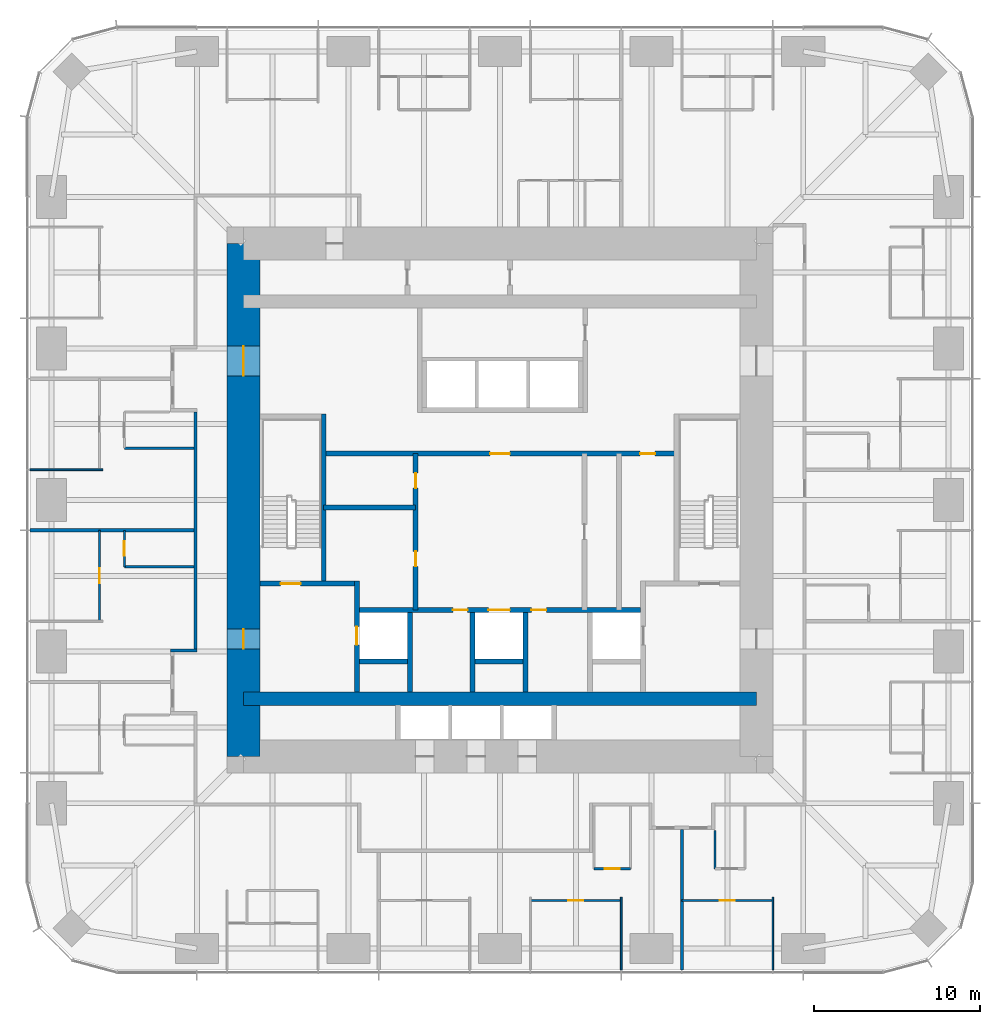
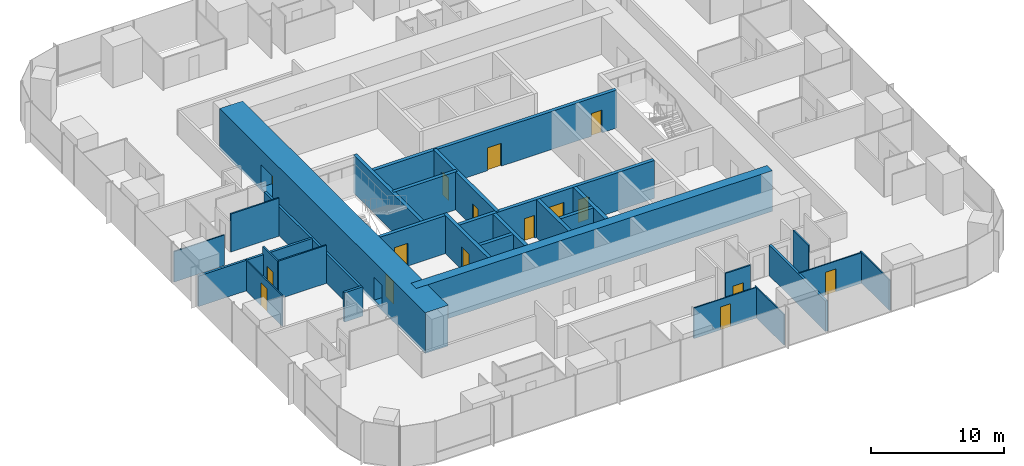
# One storey, part 9 of 13: 29 walls, 16 doors, 16 openings.
"""IFC4 building model written with IfcOpenShell, lengths in metres."""

from ifc_helpers import new_model, si_unit, direction, frame, frame_2d, origin, place, context, subcontext, project, spatial, rectangle, extrude, material, layer, layer_set, type_object, element, fill, save


model = new_model("IFC4")

# Units and contexts
model_context = context("Model", 3, precision=1e-05, world=origin(), true_north=direction((0.0, 1.0)))
body_context = subcontext(model_context, "Body", "Model", "MODEL_VIEW")
ifc_project = project(units=[si_unit("LENGTHUNIT", "METRE"), si_unit("AREAUNIT", "SQUARE_METRE"), si_unit("VOLUMEUNIT", "CUBIC_METRE"), si_unit("PLANEANGLEUNIT", "RADIAN"), si_unit("MASSUNIT", "GRAM", prefix="KILO")], contexts=[model_context])

# Site, building, storey
site_placement = place(None, origin())
site = spatial("IfcSite", under=ifc_project, at=site_placement, CompositionType="ELEMENT")
building_placement = place(site_placement, origin())
building = spatial("IfcBuilding", under=site, at=building_placement, Name="Khuree Lantern Residences", CompositionType="ELEMENT")
storey_placement = place(building_placement, frame((0.0, 0.0, 163.5)))
storey = spatial("IfcBuildingStorey", under=building, at=storey_placement, Name="L41", CompositionType="ELEMENT", Elevation=163.5)

# Wall
ifc_material_1 = material(Name="Moisture-resistant gypsum board on steel studs", Category="steel")
ifc_layer_1 = layer(ifc_material_1, 0.125)
ifc_layer_set_1 = layer_set([ifc_layer_1], Name="BATHROOM WALL BTW125")
wall_type_1 = type_object("IfcWallType", Name="BATHROOM WALL BTW125", PredefinedType="PARTITIONING", material=ifc_layer_set_1)
wall_1_placement = place(storey_placement, frame((-18.5, 3.1279296875, 0.0), z_axis=(0.0, 0.0, 1.0), x_axis=(-1.0, 0.0, 0.0)))
element("IfcWall", 1, at=wall_1_placement, inside=storey, type_object=wall_type_1, Name="L41 BATHROOM WALL 04", PredefinedType="PARTITIONING", context=body_context, shape_type="SweptSolid", body=[
    extrude(rectangle(XDim=4.199951171875, YDim=0.125, at=frame_2d((2.10009765625, 0.0))), origin(), (0.0, 0.0, 1.0), 3.5),
])

# Wall, opening, door
wall_2_placement = place(storey_placement, frame((-22.699951171875, -1.83203125, 0.0), z_axis=(0.0, 0.0, 1.0), x_axis=(0.0, -1.0, 0.0)))
wall_2 = element("IfcWall", 2, at=wall_2_placement, inside=storey, type_object=wall_type_1, Name="L41 BATHROOM WALL 05", PredefinedType="PARTITIONING", context=body_context, shape_type="SweptSolid", body=[
    extrude(rectangle(XDim=2.199951171875, YDim=0.125, at=frame_2d((1.10009765625, 0.0))), origin(), (0.0, 0.0, 1.0), 3.5),
])
opening_1_placement = place(wall_2_placement, frame((0.64990234375, 0.0, 0.0)))
opening_1 = element("IfcOpeningElement", 3, at=opening_1_placement, cuts=wall_2, Name="Opening 41-047", PredefinedType="OPENING", context=body_context, shape_type="SweptSolid", body=[
    extrude(rectangle(XDim=0.89990234375, YDim=2.10009765625, at=frame_2d((0.449951171875, 1.050048828125))), frame((0.0, 0.072509765625, 0.0), z_axis=(0.0, -1.0, 0.0), x_axis=(1.0, 0.0, 0.0)), (0.0, 0.0, 1.0), 0.14501953125),
])
ifc_material_2 = material(Name="Timber door leaf in hardwood frame", Category="wood")
door_type_1 = type_object("IfcDoorType", Name="BATHROOM DOOR 900X2100", OperationType="SINGLE_SWING_LEFT", PredefinedType="DOOR", material=ifc_material_2)
door_1_placement = place(opening_1_placement, origin())
door_1 = element("IfcDoor", 4, at=door_1_placement, inside=storey, type_object=door_type_1, Name="Bathroom door 41-047", OperationType="SINGLE_SWING_LEFT", OverallHeight=2.10009765625, OverallWidth=0.89990234375, PredefinedType="DOOR", context=body_context, shape_type="SweptSolid", body=[
    extrude(rectangle(XDim=0.89990234375, YDim=2.10009765625, at=frame_2d((0.449951171875, 1.050048828125))), frame((0.0, 0.02490234375, 0.0), z_axis=(0.0, -1.0, 0.0), x_axis=(1.0, 0.0, 0.0)), (0.0, 0.0, 1.0), 0.050048828125),
])
fill(opening_1, door_1)

# Wall
wall_3_placement = place(storey_placement, frame((-18.5, -4.031982421875, 0.0), z_axis=(0.0, 0.0, 1.0), x_axis=(-1.0, 0.0, 0.0)))
element("IfcWall", 5, at=wall_3_placement, inside=storey, type_object=wall_type_1, Name="L41 BATHROOM WALL 05", PredefinedType="PARTITIONING", context=body_context, shape_type="SweptSolid", body=[
    extrude(rectangle(XDim=4.199951171875, YDim=0.125, at=frame_2d((2.10009765625, 0.0))), origin(), (0.0, 0.0, 1.0), 3.5),
])

# Wall, opening, door
wall_4_placement = place(storey_placement, frame((5.68359375, -22.27978515625, 0.0), z_axis=(0.0, 0.0, 1.0), x_axis=(1.0, 0.0, 0.0)))
wall_4 = element("IfcWall", 6, at=wall_4_placement, inside=storey, type_object=wall_type_1, Name="L41 BATHROOM WALL 07", PredefinedType="PARTITIONING", context=body_context, shape_type="SweptSolid", body=[
    extrude(rectangle(XDim=2.199951171875, YDim=0.125, at=frame_2d((1.10009765625, 0.0))), origin(), (0.0, 0.0, 1.0), 3.5),
])
opening_2_placement = place(wall_4_placement, frame((0.64990234375, 0.0, 0.0)))
opening_2 = element("IfcOpeningElement", 7, at=opening_2_placement, cuts=wall_4, Name="Opening 41-056", PredefinedType="OPENING", context=body_context, shape_type="SweptSolid", body=[
    extrude(rectangle(XDim=0.89990234375, YDim=2.10009765625, at=frame_2d((0.449951171875, 1.050048828125))), frame((0.0, 0.072509765625, 0.0), z_axis=(0.0, -1.0, 0.0), x_axis=(1.0, 0.0, 0.0)), (0.0, 0.0, 1.0), 0.14501953125),
])
door_2_placement = place(opening_2_placement, origin())
door_2 = element("IfcDoor", 8, at=door_2_placement, inside=storey, type_object=door_type_1, Name="Bathroom door 41-056", OperationType="SINGLE_SWING_LEFT", OverallHeight=2.10009765625, OverallWidth=0.89990234375, PredefinedType="DOOR", context=body_context, shape_type="SweptSolid", body=[
    extrude(rectangle(XDim=0.89990234375, YDim=2.10009765625, at=frame_2d((0.449951171875, 1.050048828125))), frame((0.0, 0.02490234375, 0.0), z_axis=(0.0, -1.0, 0.0), x_axis=(1.0, 0.0, 0.0)), (0.0, 0.0, 1.0), 0.050048828125),
])
fill(opening_2, door_2)

# Wall
wall_5_placement = place(storey_placement, frame((12.991943359375, -19.969970703125, 0.0), z_axis=(0.0, 0.0, 1.0), x_axis=(0.0, -1.0, 0.0)))
element("IfcWall", 9, at=wall_5_placement, inside=storey, type_object=wall_type_1, Name="L41 BATHROOM WALL 08", PredefinedType="PARTITIONING", context=body_context, shape_type="SweptSolid", body=[
    extrude(rectangle(XDim=2.309814453125, YDim=0.125, at=frame_2d((1.15478515625, 0.0))), origin(), (0.0, 0.0, 1.0), 3.5),
])

# Wall, opening, door
ifc_material_3 = material(Name="Dense concrete blockwork", Category="masonry")
ifc_layer_2 = layer(ifc_material_3, 0.300048828125)
ifc_layer_set_2 = layer_set([ifc_layer_2], Name="CORE PARTITION WALL CPW300 EI 120")
wall_type_2 = type_object("IfcWallType", Name="CORE PARTITION WALL CPW300 EI 120", PredefinedType="PARTITIONING", material=ifc_layer_set_2)
wall_6_placement = place(storey_placement, frame((-8.64990234375, -11.60009765625, 0.0), z_axis=(0.0, 0.0, 1.0), x_axis=(0.0, 1.0, 0.0)))
wall_6 = element("IfcWall", 10, at=wall_6_placement, inside=storey, type_object=wall_type_2, Name="L41 CORE WALL FL1W", PredefinedType="PARTITIONING", context=body_context, shape_type="SweptSolid", body=[
    extrude(rectangle(XDim=6.7001953125, YDim=0.300048828125, at=frame_2d((3.35009765625, 0.0))), origin(), (0.0, 0.0, 1.0), 3.5),
])
opening_3_placement = place(wall_6_placement, frame((2.85009765625, 0.0, 0.0)))
opening_3 = element("IfcOpeningElement", 11, at=opening_3_placement, cuts=wall_6, Name="Opening 41-007", PredefinedType="OPENING", context=body_context, shape_type="SweptSolid", body=[
    extrude(rectangle(XDim=1.10009765625, YDim=2.10009765625, at=frame_2d((0.550048828125, 1.050048828125))), frame((0.0, 0.16015625, 0.0), z_axis=(0.0, -1.0, 0.0), x_axis=(1.0, 0.0, 0.0)), (0.0, 0.0, 1.0), 0.320068359375),
])
ifc_material_4 = material(Name="Stainless steel lift landing door", Category="steel")
door_type_2 = type_object("IfcDoorType", Name="LIFT LANDING DOOR 1100X2100 E 120", OperationType="DOUBLE_DOOR_SLIDING", PredefinedType="DOOR", material=ifc_material_4)
door_3_placement = place(opening_3_placement, origin())
door_3 = element("IfcDoor", 12, at=door_3_placement, inside=storey, type_object=door_type_2, Name="Landing door FL1 41-007", OperationType="DOUBLE_DOOR_SLIDING", OverallHeight=2.10009765625, OverallWidth=1.10009765625, PredefinedType="DOOR", context=body_context, shape_type="SweptSolid", body=[
    extrude(rectangle(XDim=1.10009765625, YDim=2.10009765625, at=frame_2d((0.550048828125, 1.050048828125))), frame((0.0, 0.02490234375, 0.0), z_axis=(0.0, -1.0, 0.0), x_axis=(1.0, 0.0, 0.0)), (0.0, 0.0, 1.0), 0.050048828125),
])
fill(opening_3, door_3)

# Wall, openings, doors
wall_7_placement = place(storey_placement, frame((-8.5, -6.64990234375, 0.0), z_axis=(0.0, 0.0, 1.0), x_axis=(1.0, 0.0, 0.0)))
wall_7 = element("IfcWall", 13, at=wall_7_placement, inside=storey, type_object=wall_type_2, Name="L41 CORE WALL FLROW", PredefinedType="PARTITIONING", context=body_context, shape_type="SweptSolid", body=[
    extrude(rectangle(XDim=17.0, YDim=0.300048828125, at=frame_2d((8.5, 0.0))), origin(), (0.0, 0.0, 1.0), 3.5),
])
opening_4_placement = place(wall_7_placement, frame((7.800048828125, 0.0, 0.0)))
opening_4 = element("IfcOpeningElement", 14, at=opening_4_placement, cuts=wall_7, Name="Opening 41-012", PredefinedType="OPENING", context=body_context, shape_type="SweptSolid", body=[
    extrude(rectangle(XDim=1.300048828125, YDim=2.39990234375, at=frame_2d((0.64990234375, 1.199951171875))), frame((0.0, 0.16015625, 0.0), z_axis=(0.0, -1.0, 0.0), x_axis=(1.0, 0.0, 0.0)), (0.0, 0.0, 1.0), 0.320068359375),
])
opening_5_placement = place(wall_7_placement, frame((5.64990234375, 0.0, 0.0)))
opening_5 = element("IfcOpeningElement", 15, at=opening_5_placement, cuts=wall_7, Name="Opening 41-014", PredefinedType="OPENING", context=body_context, shape_type="SweptSolid", body=[
    extrude(rectangle(XDim=0.89990234375, YDim=2.10009765625, at=frame_2d((0.449951171875, 1.050048828125))), frame((0.0, 0.16015625, 0.0), z_axis=(0.0, -1.0, 0.0), x_axis=(1.0, 0.0, 0.0)), (0.0, 0.0, 1.0), 0.320068359375),
])
opening_6_placement = place(wall_7_placement, frame((10.39990234375, 0.0, 0.0)))
opening_6 = element("IfcOpeningElement", 16, at=opening_6_placement, cuts=wall_7, Name="Opening 41-015", PredefinedType="OPENING", context=body_context, shape_type="SweptSolid", body=[
    extrude(rectangle(XDim=0.89990234375, YDim=2.10009765625, at=frame_2d((0.449951171875, 1.050048828125))), frame((0.0, 0.16015625, 0.0), z_axis=(0.0, -1.0, 0.0), x_axis=(1.0, 0.0, 0.0)), (0.0, 0.0, 1.0), 0.320068359375),
])
ifc_material_5 = material(Name="Steel door leaf in steel frame", Category="steel")
door_type_3 = type_object("IfcDoorType", Name="DOOR 900X2100 EI 60", OperationType="SINGLE_SWING_LEFT", PredefinedType="DOOR", material=ifc_material_5)
door_4_placement = place(opening_5_placement, origin())
door_4 = element("IfcDoor", 17, at=door_4_placement, inside=storey, type_object=door_type_3, Name="Refuse chute room door 41-014", OperationType="SINGLE_SWING_LEFT", OverallHeight=2.10009765625, OverallWidth=0.89990234375, PredefinedType="DOOR", context=body_context, shape_type="SweptSolid", body=[
    extrude(rectangle(XDim=0.89990234375, YDim=2.10009765625, at=frame_2d((0.449951171875, 1.050048828125))), frame((0.0, 0.02490234375, 0.0), z_axis=(0.0, -1.0, 0.0), x_axis=(1.0, 0.0, 0.0)), (0.0, 0.0, 1.0), 0.050048828125),
])
fill(opening_5, door_4)
door_type_4 = type_object("IfcDoorType", Name="DOOR 900X2100 EI 60 RIGHT HAND", OperationType="SINGLE_SWING_RIGHT", PredefinedType="DOOR", material=ifc_material_5)
door_5_placement = place(opening_6_placement, origin())
door_5 = element("IfcDoor", 18, at=door_5_placement, inside=storey, type_object=door_type_4, Name="Electrical and plumbing riser door 41-015", OperationType="SINGLE_SWING_RIGHT", OverallHeight=2.10009765625, OverallWidth=0.89990234375, PredefinedType="DOOR", context=body_context, shape_type="SweptSolid", body=[
    extrude(rectangle(XDim=0.89990234375, YDim=2.10009765625, at=frame_2d((0.449951171875, 1.050048828125))), frame((0.0, 0.02490234375, 0.0), z_axis=(0.0, -1.0, 0.0), x_axis=(1.0, 0.0, 0.0)), (0.0, 0.0, 1.0), 0.050048828125),
])
fill(opening_6, door_5)
door_type_5 = type_object("IfcDoorType", Name="LIFT LANDING DOOR 1300X2400 E 60", OperationType="DOUBLE_DOOR_SLIDING", PredefinedType="DOOR", material=ifc_material_4)
door_6_placement = place(opening_4_placement, origin())
door_6 = element("IfcDoor", 19, at=door_6_placement, inside=storey, type_object=door_type_5, Name="Landing door SL1 41-012", OperationType="DOUBLE_DOOR_SLIDING", OverallHeight=2.39990234375, OverallWidth=1.300048828125, PredefinedType="DOOR", context=body_context, shape_type="SweptSolid", body=[
    extrude(rectangle(XDim=1.300048828125, YDim=2.39990234375, at=frame_2d((0.64990234375, 1.199951171875))), frame((0.0, 0.02490234375, 0.0), z_axis=(0.0, -1.0, 0.0), x_axis=(1.0, 0.0, 0.0)), (0.0, 0.0, 1.0), 0.050048828125),
])
fill(opening_4, door_6)

# Walls
for number, where, z_axis, x_axis, name in (
    (20, (-5.449951171875, -11.60009765625, 0.0), (0.0, 0.0, 1.0), (0.0, 1.0, 0.0), "L41 CORE WALL FL1E"),
    (21, (-1.64990234375, -11.60009765625, 0.0), (0.0, 0.0, 1.0), (0.0, 1.0, 0.0), "L41 CORE WALL SL1W"),
    (22, (1.550048828125, -11.60009765625, 0.0), (0.0, 0.0, 1.0), (0.0, 1.0, 0.0), "L41 CORE WALL SL1E"),
):
    element("IfcWall", number, at=place(storey_placement, frame(where, z_axis=z_axis, x_axis=x_axis)), inside=storey, type_object=wall_type_2, Name=name, PredefinedType="PARTITIONING", context=body_context, shape_type="SweptSolid", body=[
        extrude(rectangle(XDim=4.800048828125, YDim=0.300048828125, at=frame_2d((2.39990234375, 0.0))), origin(), (0.0, 0.0, 1.0), 3.5),
    ])
for number, where, z_axis, x_axis, name in (
    (23, (-8.5, -9.75, 0.0), (0.0, 0.0, 1.0), (1.0, 0.0, 0.0), "L41 CORE WALL FL1S"),
    (24, (-1.5, -9.75, 0.0), (0.0, 0.0, 1.0), (1.0, 0.0, 0.0), "L41 CORE WALL SL1S"),
):
    element("IfcWall", number, at=place(storey_placement, frame(where, z_axis=z_axis, x_axis=x_axis)), inside=storey, type_object=wall_type_2, Name=name, PredefinedType="PARTITIONING", context=body_context, shape_type="SweptSolid", body=[
        extrude(rectangle(XDim=2.89990234375, YDim=0.300048828125, at=frame_2d((1.449951171875, 0.0))), origin(), (0.0, 0.0, 1.0), 3.5),
    ])

# Wall, openings, doors
wall_8_placement = place(storey_placement, frame((-10.64990234375, 2.800048828125, 0.0), z_axis=(0.0, 0.0, 1.0), x_axis=(1.0, 0.0, 0.0)))
wall_8 = element("IfcWall", 25, at=wall_8_placement, inside=storey, type_object=wall_type_2, Name="L41 CORE WALL LLS", PredefinedType="PARTITIONING", context=body_context, shape_type="SweptSolid", body=[
    extrude(rectangle(XDim=21.2998046875, YDim=0.300048828125, at=frame_2d((10.64990234375, 0.0))), origin(), (0.0, 0.0, 1.0), 3.5),
])
opening_7_placement = place(wall_8_placement, frame((10.050048828125, 0.0, 0.0)))
opening_7 = element("IfcOpeningElement", 26, at=opening_7_placement, cuts=wall_8, Name="Opening 41-013", PredefinedType="OPENING", context=body_context, shape_type="SweptSolid", body=[
    extrude(rectangle(XDim=1.199951171875, YDim=2.10009765625, at=frame_2d((0.60009765625, 1.050048828125))), frame((0.0, 0.16015625, 0.0), z_axis=(0.0, -1.0, 0.0), x_axis=(1.0, 0.0, 0.0)), (0.0, 0.0, 1.0), 0.320068359375),
])
opening_8_placement = place(wall_8_placement, frame((19.12109375, 0.0, 0.0)))
opening_8 = element("IfcOpeningElement", 27, at=opening_8_placement, cuts=wall_8, Name="Opening 41-019", PredefinedType="OPENING", context=body_context, shape_type="SweptSolid", body=[
    extrude(rectangle(XDim=0.89990234375, YDim=2.10009765625, at=frame_2d((0.449951171875, 1.050048828125))), frame((0.0, 0.16015625, 0.0), z_axis=(0.0, -1.0, 0.0), x_axis=(1.0, 0.0, 0.0)), (0.0, 0.0, 1.0), 0.320068359375),
])
door_type_6 = type_object("IfcDoorType", Name="DOOR 1200X2100 EI 60", OperationType="SINGLE_SWING_LEFT", PredefinedType="DOOR", material=ifc_material_5)
door_7_placement = place(opening_7_placement, origin())
door_7 = element("IfcDoor", 28, at=door_7_placement, inside=storey, type_object=door_type_6, Name="Service lift lobby door 41-013", OperationType="SINGLE_SWING_LEFT", OverallHeight=2.10009765625, OverallWidth=1.199951171875, PredefinedType="DOOR", context=body_context, shape_type="SweptSolid", body=[
    extrude(rectangle(XDim=1.199951171875, YDim=2.10009765625, at=frame_2d((0.60009765625, 1.050048828125))), frame((0.0, 0.02490234375, 0.0), z_axis=(0.0, -1.0, 0.0), x_axis=(1.0, 0.0, 0.0)), (0.0, 0.0, 1.0), 0.050048828125),
])
fill(opening_7, door_7)
door_type_7 = type_object("IfcDoorType", Name="DOOR 900X2100 RIGHT HAND", OperationType="SINGLE_SWING_RIGHT", PredefinedType="DOOR", material=ifc_material_2)
door_8_placement = place(opening_8_placement, origin())
door_8 = element("IfcDoor", 29, at=door_8_placement, inside=storey, type_object=door_type_7, Name="Residents' store door 41-019", OperationType="SINGLE_SWING_RIGHT", OverallHeight=2.10009765625, OverallWidth=0.89990234375, PredefinedType="DOOR", context=body_context, shape_type="SweptSolid", body=[
    extrude(rectangle(XDim=0.89990234375, YDim=2.10009765625, at=frame_2d((0.449951171875, 1.050048828125))), frame((0.0, 0.02490234375, 0.0), z_axis=(0.0, -1.0, 0.0), x_axis=(1.0, 0.0, 0.0)), (0.0, 0.0, 1.0), 0.050048828125),
])
fill(opening_8, door_8)

wall_9_placement = place(storey_placement, frame((-5.10009765625, -6.64990234375, 0.0), z_axis=(0.0, 0.0, 1.0), x_axis=(0.0, 1.0, 0.0)))
wall_9 = element("IfcWall", 30, at=wall_9_placement, inside=storey, type_object=wall_type_2, Name="L41 CORE WALL SVW", PredefinedType="PARTITIONING", context=body_context, shape_type="SweptSolid", body=[
    extrude(rectangle(XDim=9.449951171875, YDim=0.300048828125, at=frame_2d((4.72509765625, 0.0))), origin(), (0.0, 0.0, 1.0), 3.5),
])
opening_9_placement = place(wall_9_placement, frame((2.64794921875, 0.0, 0.0)))
opening_9 = element("IfcOpeningElement", 31, at=opening_9_placement, cuts=wall_9, Name="Opening 41-016", PredefinedType="OPENING", context=body_context, shape_type="SweptSolid", body=[
    extrude(rectangle(XDim=0.89990234375, YDim=2.10009765625, at=frame_2d((0.449951171875, 1.050048828125))), frame((0.0, 0.16015625, 0.0), z_axis=(0.0, -1.0, 0.0), x_axis=(1.0, 0.0, 0.0)), (0.0, 0.0, 1.0), 0.320068359375),
])
opening_10_placement = place(wall_9_placement, frame((7.373046875, 0.0, 0.0)))
opening_10 = element("IfcOpeningElement", 32, at=opening_10_placement, cuts=wall_9, Name="Opening 41-017", PredefinedType="OPENING", context=body_context, shape_type="SweptSolid", body=[
    extrude(rectangle(XDim=0.89990234375, YDim=2.10009765625, at=frame_2d((0.449951171875, 1.050048828125))), frame((0.0, 0.16015625, 0.0), z_axis=(0.0, -1.0, 0.0), x_axis=(1.0, 0.0, 0.0)), (0.0, 0.0, 1.0), 0.320068359375),
])
door_type_8 = type_object("IfcDoorType", Name="DOOR 900X2100", OperationType="SINGLE_SWING_LEFT", PredefinedType="DOOR", material=ifc_material_2)
door_9_placement = place(opening_9_placement, origin())
door_9 = element("IfcDoor", 33, at=door_9_placement, inside=storey, type_object=door_type_8, Name="Residents' store door 41-016", OperationType="SINGLE_SWING_LEFT", OverallHeight=2.10009765625, OverallWidth=0.89990234375, PredefinedType="DOOR", context=body_context, shape_type="SweptSolid", body=[
    extrude(rectangle(XDim=0.89990234375, YDim=2.10009765625, at=frame_2d((0.449951171875, 1.050048828125))), frame((0.0, 0.02490234375, 0.0), z_axis=(0.0, -1.0, 0.0), x_axis=(1.0, 0.0, 0.0)), (0.0, 0.0, 1.0), 0.050048828125),
])
fill(opening_9, door_9)
door_10_placement = place(opening_10_placement, origin())
door_10 = element("IfcDoor", 34, at=door_10_placement, inside=storey, type_object=door_type_8, Name="Parcel room door 41-017", OperationType="SINGLE_SWING_LEFT", OverallHeight=2.10009765625, OverallWidth=0.89990234375, PredefinedType="DOOR", context=body_context, shape_type="SweptSolid", body=[
    extrude(rectangle(XDim=0.89990234375, YDim=2.10009765625, at=frame_2d((0.449951171875, 1.050048828125))), frame((0.0, 0.02490234375, 0.0), z_axis=(0.0, -1.0, 0.0), x_axis=(1.0, 0.0, 0.0)), (0.0, 0.0, 1.0), 0.050048828125),
])
fill(opening_10, door_10)

# Walls
wall_10_placement = place(storey_placement, frame((-10.64990234375, -0.455078125, 0.0), z_axis=(0.0, 0.0, 1.0), x_axis=(1.0, 0.0, 0.0)))
element("IfcWall", 35, at=wall_10_placement, inside=storey, type_object=wall_type_2, Name="L41 CORE WALL WX", PredefinedType="PARTITIONING", context=body_context, shape_type="SweptSolid", body=[
    extrude(rectangle(XDim=5.5498046875, YDim=0.300048828125, at=frame_2d((2.77490234375, 0.0))), origin(), (0.0, 0.0, 1.0), 3.5),
])
ifc_material_6 = material(Name="Gypsum board on steel studs", Category="steel")
ifc_layer_3 = layer(ifc_material_6, 0.199951171875)
ifc_layer_set_3 = layer_set([ifc_layer_3], Name="CORRIDOR WALL CRW200 EI 60")
wall_type_3 = type_object("IfcWallType", Name="CORRIDOR WALL CRW200 EI 60", PredefinedType="PARTITIONING", material=ifc_layer_set_3)
wall_11_placement = place(storey_placement, frame((-18.39990234375, 5.327880859375, 0.0), z_axis=(0.0, 0.0, 1.0), x_axis=(0.0, -1.0, 0.0)))
element("IfcWall", 36, at=wall_11_placement, inside=storey, type_object=wall_type_3, Name="L41 CORRIDOR WALL WEST 2", PredefinedType="PARTITIONING", context=body_context, shape_type="SweptSolid", body=[
    extrude(rectangle(XDim=14.31982421875, YDim=0.199951171875, at=frame_2d((7.159912109375, 0.0))), origin(), (0.0, 0.0, 1.0), 2.699951171875),
])
wall_12_placement = place(storey_placement, frame((-18.300048828125, -9.092041015625, 0.0), z_axis=(0.0, 0.0, 1.0), x_axis=(-1.0, 0.0, 0.0)))
element("IfcWall", 37, at=wall_12_placement, inside=storey, type_object=wall_type_3, Name="L41 CORRIDOR ALCOVE WALL WEST", PredefinedType="PARTITIONING", context=body_context, shape_type="SweptSolid", body=[
    extrude(rectangle(XDim=1.599853515625, YDim=0.199951171875, at=frame_2d((0.7998046875, 0.0))), origin(), (0.0, 0.0, 1.0), 2.699951171875),
])

# Wall, openings, doors
ifc_material_7 = material(Name="Concrete C70/85", Category="concrete")
ifc_layer_4 = layer(ifc_material_7, 2.0)
ifc_layer_set_4 = layer_set([ifc_layer_4], Name="CW2000-C70 CORE WALL C70 2000")
wall_type_4 = type_object("IfcWallType", Name="CW2000-C70 CORE WALL C70 2000", PredefinedType="SHEAR", material=ifc_layer_set_4)
wall_13_placement = place(storey_placement, frame((-15.5, -15.5, -0.25), z_axis=(0.0, 0.0, 1.0), x_axis=(0.0, 1.0, 0.0)))
wall_13 = element("IfcWall", 38, at=wall_13_placement, inside=storey, type_object=wall_type_4, Name="Core wall W", PredefinedType="SHEAR", context=body_context, shape_type="SweptSolid", body=[
    extrude(rectangle(XDim=31.0, YDim=2.0, at=frame_2d((15.5, 0.0))), origin(), (0.0, 0.0, 1.0), 3.75),
])
opening_11_placement = place(wall_13_placement, frame((6.5, 0.0, 0.25)))
opening_11 = element("IfcOpeningElement", 39, at=opening_11_placement, cuts=wall_13, Name="Opening 41-002", PredefinedType="OPENING", context=body_context, shape_type="SweptSolid", body=[
    extrude(rectangle(XDim=1.199951171875, YDim=2.10009765625, at=frame_2d((0.60009765625, 1.050048828125))), frame((0.0, 1.010009765625, 0.0), z_axis=(0.0, -1.0, 0.0), x_axis=(1.0, 0.0, 0.0)), (0.0, 0.0, 1.0), 2.02001953125),
])
opening_12_placement = place(wall_13_placement, frame((23.0, 0.0, 0.25)))
opening_12 = element("IfcOpeningElement", 40, at=opening_12_placement, cuts=wall_13, Name="Opening 41-003", PredefinedType="OPENING", context=body_context, shape_type="SweptSolid", body=[
    extrude(rectangle(XDim=1.800048828125, YDim=2.10009765625, at=frame_2d((0.89990234375, 1.050048828125))), frame((0.0, 1.010009765625, 0.0), z_axis=(0.0, -1.0, 0.0), x_axis=(1.0, 0.0, 0.0)), (0.0, 0.0, 1.0), 2.02001953125),
])
door_type_9 = type_object("IfcDoorType", Name="LOBBY DOOR 1200X2100 EI 120", OperationType="SINGLE_SWING_LEFT", PredefinedType="DOOR", material=ifc_material_5)
door_11_placement = place(opening_11_placement, origin())
door_11 = element("IfcDoor", 41, at=door_11_placement, inside=storey, type_object=door_type_9, Name="Firefighting lobby door 41-002", OperationType="SINGLE_SWING_LEFT", OverallHeight=2.10009765625, OverallWidth=1.199951171875, PredefinedType="DOOR", context=body_context, shape_type="SweptSolid", body=[
    extrude(rectangle(XDim=1.199951171875, YDim=2.10009765625, at=frame_2d((0.60009765625, 1.050048828125))), frame((0.0, 0.02490234375, 0.0), z_axis=(0.0, -1.0, 0.0), x_axis=(1.0, 0.0, 0.0)), (0.0, 0.0, 1.0), 0.050048828125),
])
fill(opening_11, door_11)
door_type_10 = type_object("IfcDoorType", Name="LOBBY DOUBLE DOOR 1800X2100 EI 60", OperationType="DOUBLE_DOOR_SINGLE_SWING", PredefinedType="DOOR", material=ifc_material_5)
door_12_placement = place(opening_12_placement, origin())
door_12 = element("IfcDoor", 42, at=door_12_placement, inside=storey, type_object=door_type_10, Name="Lift lobby door 41-003", OperationType="DOUBLE_DOOR_SINGLE_SWING", OverallHeight=2.10009765625, OverallWidth=1.800048828125, PredefinedType="DOOR", context=body_context, shape_type="SweptSolid", body=[
    extrude(rectangle(XDim=1.800048828125, YDim=2.10009765625, at=frame_2d((0.89990234375, 1.050048828125))), frame((0.0, 0.02490234375, 0.0), z_axis=(0.0, -1.0, 0.0), x_axis=(1.0, 0.0, 0.0)), (0.0, 0.0, 1.0), 0.050048828125),
])
fill(opening_12, door_12)

# Walls
ifc_layer_5 = layer(ifc_material_6, 0.199951171875)
ifc_layer_set_5 = layer_set([ifc_layer_5], Name="DEMISING WALL DMW200 EI 90")
wall_type_5 = type_object("IfcWallType", Name="DEMISING WALL DMW200 EI 90", PredefinedType="PARTITIONING", material=ifc_layer_set_5)
wall_14_placement = place(storey_placement, frame((-18.5, -1.83203125, 0.0), z_axis=(0.0, 0.0, 1.0), x_axis=(-1.0, 0.0, 0.0)))
element("IfcWall", 43, at=wall_14_placement, inside=storey, type_object=wall_type_5, Name="L41 DEMISING WALL 05", PredefinedType="PARTITIONING", context=body_context, shape_type="SweptSolid", body=[
    extrude(rectangle(XDim=9.89990234375, YDim=0.199951171875, at=frame_2d((4.949951171875, 0.0))), origin(), (0.0, 0.0, 1.0), 2.81005859375),
])
wall_15_placement = place(storey_placement, frame((10.991943359375, -19.89990234375, 0.0), z_axis=(0.0, 0.0, 1.0), x_axis=(0.0, -1.0, 0.0)))
element("IfcWall", 44, at=wall_15_placement, inside=storey, type_object=wall_type_5, Name="L41 DEMISING WALL 08", PredefinedType="PARTITIONING", context=body_context, shape_type="SweptSolid", body=[
    extrude(rectangle(XDim=8.5, YDim=0.199951171875, at=frame_2d((4.25, 0.0))), origin(), (0.0, 0.0, 1.0), 2.81005859375),
])
ifc_layer_6 = layer(ifc_material_6, 0.10009765625)
ifc_layer_set_6 = layer_set([ifc_layer_6], Name="PARTITION PT100")
wall_type_6 = type_object("IfcWallType", Name="PARTITION PT100", PredefinedType="PARTITIONING", material=ifc_layer_set_6)
for number, where, z_axis, x_axis, name in (
    (45, (-24.0, 1.83203125, 0.0), (0.0, 0.0, 1.0), (-1.0, 0.0, 0.0), "L41 PARTITION 04"),
    (46, (7.327880859375, -24.0, 0.0), (0.0, 0.0, 1.0), (0.0, -1.0, 0.0), "L41 PARTITION 07"),
    (47, (16.488037109375, -24.0, 0.0), (0.0, 0.0, 1.0), (0.0, -1.0, 0.0), "L41 PARTITION 08"),
):
    element("IfcWall", number, at=place(storey_placement, frame(where, z_axis=z_axis, x_axis=x_axis)), inside=storey, type_object=wall_type_6, Name=name, PredefinedType="PARTITIONING", context=body_context, shape_type="SweptSolid", body=[
        extrude(rectangle(XDim=4.39990234375, YDim=0.10009765625, at=frame_2d((2.199951171875, 0.0))), origin(), (0.0, 0.0, 1.0), 2.81005859375),
    ])

# Wall, opening, door
wall_16_placement = place(storey_placement, frame((-24.199951171875, -1.83203125, 0.0), z_axis=(0.0, 0.0, 1.0), x_axis=(0.0, -1.0, 0.0)))
wall_16 = element("IfcWall", 48, at=wall_16_placement, inside=storey, type_object=wall_type_6, Name="L41 PARTITION 05", PredefinedType="PARTITIONING", context=body_context, shape_type="SweptSolid", body=[
    extrude(rectangle(XDim=5.495849609375, YDim=0.10009765625, at=frame_2d((2.748046875, 0.0))), origin(), (0.0, 0.0, 1.0), 2.81005859375),
])
opening_13_placement = place(wall_16_placement, frame((2.298095703125, 0.0, 0.0)))
opening_13 = element("IfcOpeningElement", 49, at=opening_13_placement, cuts=wall_16, Name="Opening 41-046", PredefinedType="OPENING", context=body_context, shape_type="SweptSolid", body=[
    extrude(rectangle(XDim=0.89990234375, YDim=2.10009765625, at=frame_2d((0.449951171875, 1.050048828125))), frame((0.0, 0.06005859375, 0.0), z_axis=(0.0, -1.0, 0.0), x_axis=(1.0, 0.0, 0.0)), (0.0, 0.0, 1.0), 0.1201171875),
])
door_type_11 = type_object("IfcDoorType", Name="BEDROOM DOOR 900X2100", OperationType="SINGLE_SWING_LEFT", PredefinedType="DOOR", material=ifc_material_2)
door_13_placement = place(opening_13_placement, origin())
door_13 = element("IfcDoor", 50, at=door_13_placement, inside=storey, type_object=door_type_11, Name="Bedroom door 41-046", OperationType="SINGLE_SWING_LEFT", OverallHeight=2.10009765625, OverallWidth=0.89990234375, PredefinedType="DOOR", context=body_context, shape_type="SweptSolid", body=[
    extrude(rectangle(XDim=0.89990234375, YDim=2.10009765625, at=frame_2d((0.449951171875, 1.050048828125))), frame((0.0, 0.02490234375, 0.0), z_axis=(0.0, -1.0, 0.0), x_axis=(1.0, 0.0, 0.0)), (0.0, 0.0, 1.0), 0.050048828125),
])
fill(opening_13, door_13)

wall_17_placement = place(storey_placement, frame((1.83203125, -24.199951171875, 0.0), z_axis=(0.0, 0.0, 1.0), x_axis=(1.0, 0.0, 0.0)))
wall_17 = element("IfcWall", 51, at=wall_17_placement, inside=storey, type_object=wall_type_6, Name="L41 PARTITION 07", PredefinedType="PARTITIONING", context=body_context, shape_type="SweptSolid", body=[
    extrude(rectangle(XDim=5.495849609375, YDim=0.10009765625, at=frame_2d((2.748046875, 0.0))), origin(), (0.0, 0.0, 1.0), 2.81005859375),
])
opening_14_placement = place(wall_17_placement, frame((2.298095703125, 0.0, 0.0)))
opening_14 = element("IfcOpeningElement", 52, at=opening_14_placement, cuts=wall_17, Name="Opening 41-055", PredefinedType="OPENING", context=body_context, shape_type="SweptSolid", body=[
    extrude(rectangle(XDim=0.89990234375, YDim=2.10009765625, at=frame_2d((0.449951171875, 1.050048828125))), frame((0.0, 0.06005859375, 0.0), z_axis=(0.0, -1.0, 0.0), x_axis=(1.0, 0.0, 0.0)), (0.0, 0.0, 1.0), 0.1201171875),
])
door_14_placement = place(opening_14_placement, origin())
door_14 = element("IfcDoor", 53, at=door_14_placement, inside=storey, type_object=door_type_11, Name="Bedroom door 41-055", OperationType="SINGLE_SWING_LEFT", OverallHeight=2.10009765625, OverallWidth=0.89990234375, PredefinedType="DOOR", context=body_context, shape_type="SweptSolid", body=[
    extrude(rectangle(XDim=0.89990234375, YDim=2.10009765625, at=frame_2d((0.449951171875, 1.050048828125))), frame((0.0, 0.02490234375, 0.0), z_axis=(0.0, -1.0, 0.0), x_axis=(1.0, 0.0, 0.0)), (0.0, 0.0, 1.0), 0.050048828125),
])
fill(opening_14, door_14)

wall_18_placement = place(storey_placement, frame((10.991943359375, -24.199951171875, 0.0), z_axis=(0.0, 0.0, 1.0), x_axis=(1.0, 0.0, 0.0)))
wall_18 = element("IfcWall", 54, at=wall_18_placement, inside=storey, type_object=wall_type_6, Name="L41 PARTITION 08", PredefinedType="PARTITIONING", context=body_context, shape_type="SweptSolid", body=[
    extrude(rectangle(XDim=5.49609375, YDim=0.10009765625, at=frame_2d((2.748046875, 0.0))), origin(), (0.0, 0.0, 1.0), 2.81005859375),
])
opening_15_placement = place(wall_18_placement, frame((2.298095703125, 0.0, 0.0)))
opening_15 = element("IfcOpeningElement", 55, at=opening_15_placement, cuts=wall_18, Name="Opening 41-058", PredefinedType="OPENING", context=body_context, shape_type="SweptSolid", body=[
    extrude(rectangle(XDim=0.89990234375, YDim=2.10009765625, at=frame_2d((0.449951171875, 1.050048828125))), frame((0.0, 0.06005859375, 0.0), z_axis=(0.0, -1.0, 0.0), x_axis=(1.0, 0.0, 0.0)), (0.0, 0.0, 1.0), 0.1201171875),
])
door_15_placement = place(opening_15_placement, origin())
door_15 = element("IfcDoor", 56, at=door_15_placement, inside=storey, type_object=door_type_11, Name="Bedroom door 41-058", OperationType="SINGLE_SWING_LEFT", OverallHeight=2.10009765625, OverallWidth=0.89990234375, PredefinedType="DOOR", context=body_context, shape_type="SweptSolid", body=[
    extrude(rectangle(XDim=0.89990234375, YDim=2.10009765625, at=frame_2d((0.449951171875, 1.050048828125))), frame((0.0, 0.02490234375, 0.0), z_axis=(0.0, -1.0, 0.0), x_axis=(1.0, 0.0, 0.0)), (0.0, 0.0, 1.0), 0.050048828125),
])
fill(opening_15, door_15)

# Walls
ifc_layer_7 = layer(ifc_material_7, 0.800048828125)
ifc_layer_set_7 = layer_set([ifc_layer_7], Name="SP800-C70 CORE SPINE WALL C70 800")
wall_type_7 = type_object("IfcWallType", Name="SP800-C70 CORE SPINE WALL C70 800", PredefinedType="SHEAR", material=ifc_layer_set_7)
wall_19_placement = place(storey_placement, frame((-15.5, -12.0, -0.25), z_axis=(0.0, 0.0, 1.0), x_axis=(1.0, 0.0, 0.0)))
element("IfcWall", 57, at=wall_19_placement, inside=storey, type_object=wall_type_7, Name="Core wall SPS", PredefinedType="SHEAR", context=body_context, shape_type="SweptSolid", body=[
    extrude(rectangle(XDim=31.0, YDim=0.800048828125, at=frame_2d((15.5, 0.0))), origin(), (0.0, 0.0, 1.0), 3.75),
])
ifc_material_8 = material(Name="Concrete C50/60", Category="concrete")
ifc_layer_8 = layer(ifc_material_8, 0.300048828125)
ifc_layer_set_8 = layer_set([ifc_layer_8], Name="STAIR WALL SRW300 C50/60 REI 240")
wall_type_8 = type_object("IfcWallType", Name="STAIR WALL SRW300 C50/60 REI 240", PredefinedType="SOLIDWALL", material=ifc_layer_set_8)
wall_20_placement = place(storey_placement, frame((-10.64990234375, -4.89990234375, 0.0), z_axis=(0.0, 0.0, 1.0), x_axis=(0.0, 1.0, 0.0)))
element("IfcWall", 58, at=wall_20_placement, inside=storey, type_object=wall_type_8, Name="L41 STAIR WALL ST1E", PredefinedType="SOLIDWALL", context=body_context, shape_type="SweptSolid", body=[
    extrude(rectangle(XDim=10.099853515625, YDim=0.300048828125, at=frame_2d((5.0498046875, 0.0))), origin(), (0.0, 0.0, 1.0), 3.5),
])

# Wall, opening, door
wall_21_placement = place(storey_placement, frame((-14.5, -5.050048828125, 0.0), z_axis=(0.0, 0.0, 1.0), x_axis=(1.0, 0.0, 0.0)))
wall_21 = element("IfcWall", 59, at=wall_21_placement, inside=storey, type_object=wall_type_8, Name="L41 STAIR WALL ST1S", PredefinedType="SOLIDWALL", context=body_context, shape_type="SweptSolid", body=[
    extrude(rectangle(XDim=5.699951171875, YDim=0.300048828125, at=frame_2d((2.85009765625, 0.0))), origin(), (0.0, 0.0, 1.0), 3.5),
])
opening_16_placement = place(wall_21_placement, frame((1.25, 0.0, 0.0)))
opening_16 = element("IfcOpeningElement", 60, at=opening_16_placement, cuts=wall_21, Name="Opening 41-001", PredefinedType="OPENING", context=body_context, shape_type="SweptSolid", body=[
    extrude(rectangle(XDim=1.199951171875, YDim=2.10009765625, at=frame_2d((0.60009765625, 1.050048828125))), frame((0.0, 0.16015625, 0.0), z_axis=(0.0, -1.0, 0.0), x_axis=(1.0, 0.0, 0.0)), (0.0, 0.0, 1.0), 0.320068359375),
])
door_type_12 = type_object("IfcDoorType", Name="STAIR DOOR 1200X2100 EI 120", OperationType="SINGLE_SWING_LEFT", PredefinedType="DOOR", material=ifc_material_5)
door_16_placement = place(opening_16_placement, origin())
door_16 = element("IfcDoor", 61, at=door_16_placement, inside=storey, type_object=door_type_12, Name="Stair ST1 door 41-001", OperationType="SINGLE_SWING_LEFT", OverallHeight=2.10009765625, OverallWidth=1.199951171875, PredefinedType="DOOR", context=body_context, shape_type="SweptSolid", body=[
    extrude(rectangle(XDim=1.199951171875, YDim=2.10009765625, at=frame_2d((0.60009765625, 1.050048828125))), frame((0.0, 0.02490234375, 0.0), z_axis=(0.0, -1.0, 0.0), x_axis=(1.0, 0.0, 0.0)), (0.0, 0.0, 1.0), 0.050048828125),
])
fill(opening_16, door_16)

save(model, "model.ifc")
